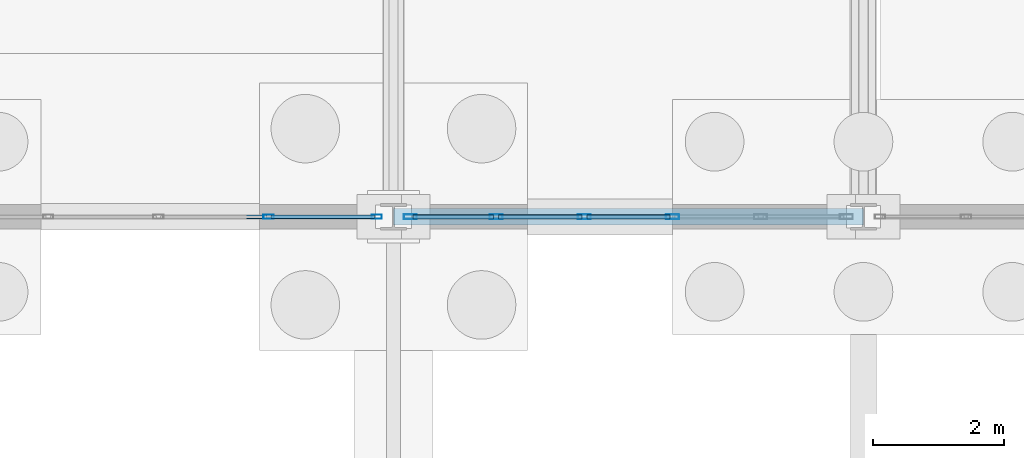
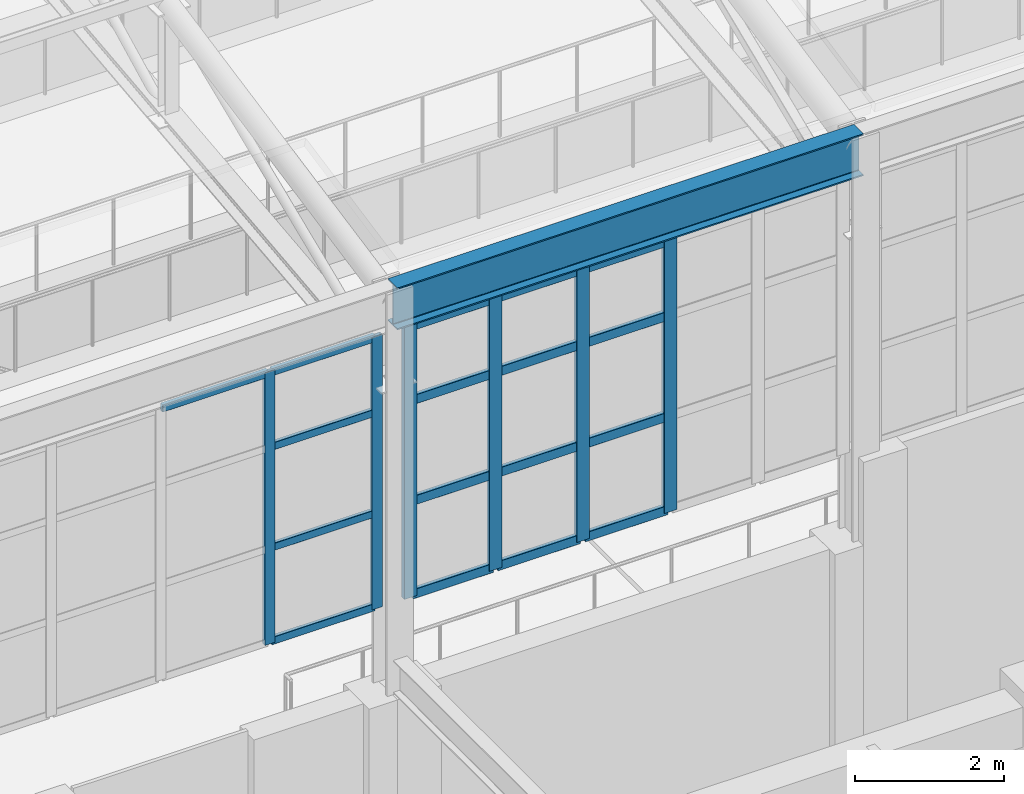
# One storey, part 111 of 293: 23 members, 1 beam, 2 elements without a shape of their own.
"""IFC4 building model written with IfcOpenShell, lengths in metres."""

from ifc_helpers import new_model, si_unit, direction, frame, origin, origin_2d, place, context, subcontext, project, spatial, hollow_rectangle, i_section, extrude, material, layer, layer_set, material_profile, profile_set, type_object, element, aggregate, save


model = new_model("IFC4")

# Units and contexts
model_context = context("Model", 3, precision=1e-05, world=origin(), true_north=direction((0.0, 1.0)))
body_context = subcontext(model_context, "Body", "Model", "MODEL_VIEW")
ifc_project = project(units=[si_unit("LENGTHUNIT", "METRE"), si_unit("AREAUNIT", "SQUARE_METRE"), si_unit("VOLUMEUNIT", "CUBIC_METRE"), si_unit("PLANEANGLEUNIT", "RADIAN"), si_unit("MASSUNIT", "GRAM", prefix="KILO")], contexts=[model_context])

# Site, building, storey
site_placement = place(None, origin())
site = spatial("IfcSite", under=ifc_project, at=site_placement, CompositionType="ELEMENT")
building_placement = place(site_placement, origin())
building = spatial("IfcBuilding", under=site, at=building_placement, Name="Kemerveld Promenade Tramway Depot", CompositionType="ELEMENT")
storey_placement = place(building_placement, origin())
storey = spatial("IfcBuildingStorey", under=building, at=storey_placement, Name="L00", CompositionType="ELEMENT", Elevation=0.0)

# Beam
ifc_material_1 = material(Name="Steel S355", Category="steel")
ifc_material_profile_1 = material_profile(ifc_material_1, i_section(OverallWidth=0.25439453125, OverallDepth=0.6875, WebThickness=0.01318359375, FlangeThickness=0.02099609375, FilletRadius=0.01513671875, at=origin_2d()), Name="686x254x152 UB")
ifc_profile_set_1 = profile_set([ifc_material_profile_1], Name="Steel S355")
beam_type = type_object("IfcBeamType", Name="BM-G03", PredefinedType="BEAM", material=ifc_profile_set_1)
beam_placement = place(storey_placement, frame((50.39990234375, 84.0, 11.056396484375), z_axis=(1.0, 0.0, 0.0), x_axis=(0.0, 1.0, 0.0)))
element("IfcBeam", 1, at=beam_placement, inside=storey, type_object=beam_type, Name="BM-SHED-EAVE-N-08", PredefinedType="BEAM", context=body_context, shape_type="SweptSolid", body=[
    extrude(i_section(OverallWidth=0.25439453125, OverallDepth=0.6875, WebThickness=0.01318359375, FlangeThickness=0.02099609375, FilletRadius=0.01513671875, at=origin_2d()), origin(), (0.0, 0.0, 1.0), 7.2001953125),
])

# Curtain wall, members
ifc_material_2 = material(Name="Bronze anodised aluminium and solar glass", Category="aluminium")
ifc_layer_1 = layer(ifc_material_2, 0.159912109375)
ifc_layer_set_1 = layer_set([ifc_layer_1], Name="CW-SYS-05")
curtain_wall_type_1 = type_object("IfcCurtainWallType", Name="CW-SYS-05", PredefinedType="USERDEFINED", material=ifc_layer_set_1)
curtain_wall_1_placement = place(storey_placement, origin())
curtain_wall_1 = element("IfcCurtainWall", 2, at=curtain_wall_1_placement, inside=storey, type_object=curtain_wall_type_1, Name="CW-V1-S-02", ObjectType="GLAZED_CURTAIN_WALL", PredefinedType="USERDEFINED")
ifc_material_3 = material(Name="Bronze anodised aluminium", Category="aluminium")
ifc_material_profile_2 = material_profile(ifc_material_3, hollow_rectangle(XDim=0.06494140625, YDim=0.159912109375, WallThickness=0.00390625, InnerFilletRadius=0.001953125, OuterFilletRadius=0.00390625, at=origin_2d()), Name="CW-MUL-160x65")
ifc_profile_set_2 = profile_set([ifc_material_profile_2], Name="Bronze anodised aluminium")
member_type_1 = type_object("IfcMemberType", Name="CW-MUL-A", PredefinedType="MULLION", material=ifc_profile_set_2)
member_1_placement = place(storey_placement, frame((50.144287109375, 84.0, 6.199951171875), z_axis=(0.0, 0.0, 1.0), x_axis=(0.0, -1.0, 0.0)))
member_1 = element("IfcMember", 3, at=member_1_placement, type_object=member_type_1, Name="CW05 mullion 1", PredefinedType="MULLION", context=body_context, shape_type="SweptSolid", body=[
    extrude(hollow_rectangle(XDim=0.06494140625, YDim=0.159912109375, WallThickness=0.00390625, InnerFilletRadius=0.001953125, OuterFilletRadius=0.00390625, at=origin_2d()), origin(), (0.0, 0.0, 1.0), 4.449951171875),
])
member_2_placement = place(storey_placement, frame((48.48828125, 84.0, 6.199951171875), z_axis=(0.0, 0.0, 1.0), x_axis=(0.0, -1.0, 0.0)))
member_2 = element("IfcMember", 4, at=member_2_placement, type_object=member_type_1, Name="CW05 mullion 2", PredefinedType="MULLION", context=body_context, shape_type="SweptSolid", body=[
    extrude(hollow_rectangle(XDim=0.06494140625, YDim=0.159912109375, WallThickness=0.00390625, InnerFilletRadius=0.001953125, OuterFilletRadius=0.00390625, at=origin_2d()), origin(), (0.0, 0.0, 1.0), 4.449951171875),
])

ifc_layer_2 = layer(ifc_material_2, 0.199951171875)
ifc_layer_set_2 = layer_set([ifc_layer_2], Name="CW-SYS-06")
curtain_wall_type_2 = type_object("IfcCurtainWallType", Name="CW-SYS-06", PredefinedType="USERDEFINED", material=ifc_layer_set_2)
curtain_wall_2_placement = place(storey_placement, origin())
curtain_wall_2 = element("IfcCurtainWall", 5, at=curtain_wall_2_placement, inside=storey, type_object=curtain_wall_type_2, Name="CW-V1-S-03", ObjectType="GLAZED_CURTAIN_WALL", PredefinedType="USERDEFINED")
ifc_material_profile_3 = material_profile(ifc_material_3, hollow_rectangle(XDim=0.074951171875, YDim=0.199951171875, WallThickness=0.0048828125, InnerFilletRadius=0.001953125, OuterFilletRadius=0.0048828125, at=origin_2d()), Name="CW-MUL-200x75")
ifc_profile_set_3 = profile_set([ifc_material_profile_3], Name="Bronze anodised aluminium")
member_type_2 = type_object("IfcMemberType", Name="CW-MUL-B", PredefinedType="MULLION", material=ifc_profile_set_3)
member_3_placement = place(storey_placement, frame((54.67529296875, 84.0, 6.199951171875), z_axis=(0.0, 0.0, 1.0), x_axis=(0.0, -1.0, 0.0)))
member_3 = element("IfcMember", 6, at=member_3_placement, type_object=member_type_2, Name="CW06 mullion 3", PredefinedType="MULLION", context=body_context, shape_type="SweptSolid", body=[
    extrude(hollow_rectangle(XDim=0.074951171875, YDim=0.199951171875, WallThickness=0.0048828125, InnerFilletRadius=0.001953125, OuterFilletRadius=0.0048828125, at=origin_2d()), origin(), (0.0, 0.0, 1.0), 4.449951171875),
])
member_4_placement = place(storey_placement, frame((53.32470703125, 84.0, 6.199951171875), z_axis=(0.0, 0.0, 1.0), x_axis=(0.0, -1.0, 0.0)))
member_4 = element("IfcMember", 7, at=member_4_placement, type_object=member_type_2, Name="CW06 mullion 4", PredefinedType="MULLION", context=body_context, shape_type="SweptSolid", body=[
    extrude(hollow_rectangle(XDim=0.074951171875, YDim=0.199951171875, WallThickness=0.0048828125, InnerFilletRadius=0.001953125, OuterFilletRadius=0.0048828125, at=origin_2d()), origin(), (0.0, 0.0, 1.0), 4.449951171875),
])
member_5_placement = place(storey_placement, frame((51.973876953125, 84.0, 6.199951171875), z_axis=(0.0, 0.0, 1.0), x_axis=(0.0, -1.0, 0.0)))
member_5 = element("IfcMember", 8, at=member_5_placement, type_object=member_type_2, Name="CW06 mullion 5", PredefinedType="MULLION", context=body_context, shape_type="SweptSolid", body=[
    extrude(hollow_rectangle(XDim=0.074951171875, YDim=0.199951171875, WallThickness=0.0048828125, InnerFilletRadius=0.001953125, OuterFilletRadius=0.0048828125, at=origin_2d()), origin(), (0.0, 0.0, 1.0), 4.449951171875),
])
member_6_placement = place(storey_placement, frame((50.66064453125, 84.0, 6.199951171875), z_axis=(0.0, 0.0, 1.0), x_axis=(0.0, -1.0, 0.0)))
member_6 = element("IfcMember", 9, at=member_6_placement, type_object=member_type_2, Name="CW06 mullion 6", PredefinedType="MULLION", context=body_context, shape_type="SweptSolid", body=[
    extrude(hollow_rectangle(XDim=0.074951171875, YDim=0.199951171875, WallThickness=0.0048828125, InnerFilletRadius=0.001953125, OuterFilletRadius=0.0048828125, at=origin_2d()), origin(), (0.0, 0.0, 1.0), 4.449951171875),
])

# Member
ifc_material_profile_4 = material_profile(ifc_material_3, hollow_rectangle(XDim=0.06005859375, YDim=0.1201171875, WallThickness=0.00390625, InnerFilletRadius=0.001953125, OuterFilletRadius=0.00390625, at=origin_2d()), Name="CW-TRN-120x60")
ifc_profile_set_4 = profile_set([ifc_material_profile_4], Name="Bronze anodised aluminium")
member_type_3 = type_object("IfcMemberType", Name="CW-TRN-A", PredefinedType="USERDEFINED", material=ifc_profile_set_4)
member_7_placement = place(storey_placement, frame((50.11181640625, 84.0, 6.22998046875), z_axis=(-1.0, 0.0, 0.0), x_axis=(0.0, -1.0, 0.0)))
member_7 = element("IfcMember", 10, at=member_7_placement, type_object=member_type_3, Name="CW05 transom 1.1", ObjectType="TRANSOM", PredefinedType="USERDEFINED", context=body_context, shape_type="SweptSolid", body=[
    extrude(hollow_rectangle(XDim=0.06005859375, YDim=0.1201171875, WallThickness=0.00390625, InnerFilletRadius=0.001953125, OuterFilletRadius=0.00390625, at=origin_2d()), origin(), (0.0, 0.0, 1.0), 1.5908203125),
])

member_8_placement = place(storey_placement, frame((50.11181640625, 84.0, 7.758056640625), z_axis=(-1.0, 0.0, 0.0), x_axis=(0.0, -1.0, 0.0)))
member_8 = element("IfcMember", 11, at=member_8_placement, type_object=member_type_3, Name="CW05 transom 1.2", ObjectType="TRANSOM", PredefinedType="USERDEFINED", context=body_context, shape_type="SweptSolid", body=[
    extrude(hollow_rectangle(XDim=0.06005859375, YDim=0.1201171875, WallThickness=0.00390625, InnerFilletRadius=0.001953125, OuterFilletRadius=0.00390625, at=origin_2d()), origin(), (0.0, 0.0, 1.0), 1.5908203125),
])

member_9_placement = place(storey_placement, frame((50.11181640625, 84.0, 9.404052734375), z_axis=(-1.0, 0.0, 0.0), x_axis=(0.0, -1.0, 0.0)))
member_9 = element("IfcMember", 12, at=member_9_placement, type_object=member_type_3, Name="CW05 transom 1.3", ObjectType="TRANSOM", PredefinedType="USERDEFINED", context=body_context, shape_type="SweptSolid", body=[
    extrude(hollow_rectangle(XDim=0.06005859375, YDim=0.1201171875, WallThickness=0.00390625, InnerFilletRadius=0.001953125, OuterFilletRadius=0.00390625, at=origin_2d()), origin(), (0.0, 0.0, 1.0), 1.5908203125),
])

member_10_placement = place(storey_placement, frame((50.11181640625, 84.0, 10.6201171875), z_axis=(-1.0, 0.0, 0.0), x_axis=(0.0, -1.0, 0.0)))
member_10 = element("IfcMember", 13, at=member_10_placement, type_object=member_type_3, Name="CW05 transom 1.4", ObjectType="TRANSOM", PredefinedType="USERDEFINED", context=body_context, shape_type="SweptSolid", body=[
    extrude(hollow_rectangle(XDim=0.06005859375, YDim=0.1201171875, WallThickness=0.00390625, InnerFilletRadius=0.001953125, OuterFilletRadius=0.00390625, at=origin_2d()), origin(), (0.0, 0.0, 1.0), 1.5908203125),
])

member_11_placement = place(storey_placement, frame((48.455810546875, 84.0, 10.6201171875), z_axis=(-1.0, 0.0, 0.0), x_axis=(0.0, -1.0, 0.0)))
member_11 = element("IfcMember", 14, at=member_11_placement, type_object=member_type_3, Name="CW05 transom 2.4", ObjectType="TRANSOM", PredefinedType="USERDEFINED", context=body_context, shape_type="SweptSolid", body=[
    extrude(hollow_rectangle(XDim=0.06005859375, YDim=0.1201171875, WallThickness=0.00390625, InnerFilletRadius=0.001953125, OuterFilletRadius=0.00390625, at=origin_2d()), origin(), (0.0, 0.0, 1.0), 1.623291015625),
])

aggregate(curtain_wall_1, [member_1, member_2, member_7, member_8, member_9, member_10, member_11])

ifc_material_profile_5 = material_profile(ifc_material_3, hollow_rectangle(XDim=0.06494140625, YDim=0.14990234375, WallThickness=0.00439453125, InnerFilletRadius=0.001953125, OuterFilletRadius=0.00439453125, at=origin_2d()), Name="CW-TRN-150x65")
ifc_profile_set_5 = profile_set([ifc_material_profile_5], Name="Bronze anodised aluminium")
member_type_4 = type_object("IfcMemberType", Name="CW-TRN-B", PredefinedType="USERDEFINED", material=ifc_profile_set_5)
member_12_placement = place(storey_placement, frame((54.637939453125, 84.0, 6.232421875), z_axis=(-1.0, 0.0, 0.0), x_axis=(0.0, -1.0, 0.0)))
member_12 = element("IfcMember", 15, at=member_12_placement, type_object=member_type_4, Name="CW06 transom 3.1", ObjectType="TRANSOM", PredefinedType="USERDEFINED", context=body_context, shape_type="SweptSolid", body=[
    extrude(hollow_rectangle(XDim=0.06494140625, YDim=0.14990234375, WallThickness=0.00439453125, InnerFilletRadius=0.001953125, OuterFilletRadius=0.00439453125, at=origin_2d()), origin(), (0.0, 0.0, 1.0), 1.27587890625),
])

member_13_placement = place(storey_placement, frame((54.637939453125, 84.0, 7.758056640625), z_axis=(-1.0, 0.0, 0.0), x_axis=(0.0, -1.0, 0.0)))
member_13 = element("IfcMember", 16, at=member_13_placement, type_object=member_type_4, Name="CW06 transom 3.2", ObjectType="TRANSOM", PredefinedType="USERDEFINED", context=body_context, shape_type="SweptSolid", body=[
    extrude(hollow_rectangle(XDim=0.06494140625, YDim=0.14990234375, WallThickness=0.00439453125, InnerFilletRadius=0.001953125, OuterFilletRadius=0.00439453125, at=origin_2d()), origin(), (0.0, 0.0, 1.0), 1.27587890625),
])

member_14_placement = place(storey_placement, frame((54.637939453125, 84.0, 9.404052734375), z_axis=(-1.0, 0.0, 0.0), x_axis=(0.0, -1.0, 0.0)))
member_14 = element("IfcMember", 17, at=member_14_placement, type_object=member_type_4, Name="CW06 transom 3.3", ObjectType="TRANSOM", PredefinedType="USERDEFINED", context=body_context, shape_type="SweptSolid", body=[
    extrude(hollow_rectangle(XDim=0.06494140625, YDim=0.14990234375, WallThickness=0.00439453125, InnerFilletRadius=0.001953125, OuterFilletRadius=0.00439453125, at=origin_2d()), origin(), (0.0, 0.0, 1.0), 1.27587890625),
])

member_15_placement = place(storey_placement, frame((54.637939453125, 84.0, 10.617431640625), z_axis=(-1.0, 0.0, 0.0), x_axis=(0.0, -1.0, 0.0)))
member_15 = element("IfcMember", 18, at=member_15_placement, type_object=member_type_4, Name="CW06 transom 3.4", ObjectType="TRANSOM", PredefinedType="USERDEFINED", context=body_context, shape_type="SweptSolid", body=[
    extrude(hollow_rectangle(XDim=0.06494140625, YDim=0.14990234375, WallThickness=0.00439453125, InnerFilletRadius=0.001953125, OuterFilletRadius=0.00439453125, at=origin_2d()), origin(), (0.0, 0.0, 1.0), 1.27587890625),
])

member_16_placement = place(storey_placement, frame((53.287109375, 84.0, 6.232421875), z_axis=(-1.0, 0.0, 0.0), x_axis=(0.0, -1.0, 0.0)))
member_16 = element("IfcMember", 19, at=member_16_placement, type_object=member_type_4, Name="CW06 transom 4.1", ObjectType="TRANSOM", PredefinedType="USERDEFINED", context=body_context, shape_type="SweptSolid", body=[
    extrude(hollow_rectangle(XDim=0.06494140625, YDim=0.14990234375, WallThickness=0.00439453125, InnerFilletRadius=0.001953125, OuterFilletRadius=0.00439453125, at=origin_2d()), origin(), (0.0, 0.0, 1.0), 1.275634765625),
])

member_17_placement = place(storey_placement, frame((53.287109375, 84.0, 7.758056640625), z_axis=(-1.0, 0.0, 0.0), x_axis=(0.0, -1.0, 0.0)))
member_17 = element("IfcMember", 20, at=member_17_placement, type_object=member_type_4, Name="CW06 transom 4.2", ObjectType="TRANSOM", PredefinedType="USERDEFINED", context=body_context, shape_type="SweptSolid", body=[
    extrude(hollow_rectangle(XDim=0.06494140625, YDim=0.14990234375, WallThickness=0.00439453125, InnerFilletRadius=0.001953125, OuterFilletRadius=0.00439453125, at=origin_2d()), origin(), (0.0, 0.0, 1.0), 1.275634765625),
])

member_18_placement = place(storey_placement, frame((53.287109375, 84.0, 9.404052734375), z_axis=(-1.0, 0.0, 0.0), x_axis=(0.0, -1.0, 0.0)))
member_18 = element("IfcMember", 21, at=member_18_placement, type_object=member_type_4, Name="CW06 transom 4.3", ObjectType="TRANSOM", PredefinedType="USERDEFINED", context=body_context, shape_type="SweptSolid", body=[
    extrude(hollow_rectangle(XDim=0.06494140625, YDim=0.14990234375, WallThickness=0.00439453125, InnerFilletRadius=0.001953125, OuterFilletRadius=0.00439453125, at=origin_2d()), origin(), (0.0, 0.0, 1.0), 1.275634765625),
])

member_19_placement = place(storey_placement, frame((53.287109375, 84.0, 10.617431640625), z_axis=(-1.0, 0.0, 0.0), x_axis=(0.0, -1.0, 0.0)))
member_19 = element("IfcMember", 22, at=member_19_placement, type_object=member_type_4, Name="CW06 transom 4.4", ObjectType="TRANSOM", PredefinedType="USERDEFINED", context=body_context, shape_type="SweptSolid", body=[
    extrude(hollow_rectangle(XDim=0.06494140625, YDim=0.14990234375, WallThickness=0.00439453125, InnerFilletRadius=0.001953125, OuterFilletRadius=0.00439453125, at=origin_2d()), origin(), (0.0, 0.0, 1.0), 1.275634765625),
])

member_20_placement = place(storey_placement, frame((51.9365234375, 84.0, 6.232421875), z_axis=(-1.0, 0.0, 0.0), x_axis=(0.0, -1.0, 0.0)))
member_20 = element("IfcMember", 23, at=member_20_placement, type_object=member_type_4, Name="CW06 transom 5.1", ObjectType="TRANSOM", PredefinedType="USERDEFINED", context=body_context, shape_type="SweptSolid", body=[
    extrude(hollow_rectangle(XDim=0.06494140625, YDim=0.14990234375, WallThickness=0.00439453125, InnerFilletRadius=0.001953125, OuterFilletRadius=0.00439453125, at=origin_2d()), origin(), (0.0, 0.0, 1.0), 1.23828125),
])

member_21_placement = place(storey_placement, frame((51.9365234375, 84.0, 7.758056640625), z_axis=(-1.0, 0.0, 0.0), x_axis=(0.0, -1.0, 0.0)))
member_21 = element("IfcMember", 24, at=member_21_placement, type_object=member_type_4, Name="CW06 transom 5.2", ObjectType="TRANSOM", PredefinedType="USERDEFINED", context=body_context, shape_type="SweptSolid", body=[
    extrude(hollow_rectangle(XDim=0.06494140625, YDim=0.14990234375, WallThickness=0.00439453125, InnerFilletRadius=0.001953125, OuterFilletRadius=0.00439453125, at=origin_2d()), origin(), (0.0, 0.0, 1.0), 1.23828125),
])

member_22_placement = place(storey_placement, frame((51.9365234375, 84.0, 9.404052734375), z_axis=(-1.0, 0.0, 0.0), x_axis=(0.0, -1.0, 0.0)))
member_22 = element("IfcMember", 25, at=member_22_placement, type_object=member_type_4, Name="CW06 transom 5.3", ObjectType="TRANSOM", PredefinedType="USERDEFINED", context=body_context, shape_type="SweptSolid", body=[
    extrude(hollow_rectangle(XDim=0.06494140625, YDim=0.14990234375, WallThickness=0.00439453125, InnerFilletRadius=0.001953125, OuterFilletRadius=0.00439453125, at=origin_2d()), origin(), (0.0, 0.0, 1.0), 1.23828125),
])

member_23_placement = place(storey_placement, frame((51.9365234375, 84.0, 10.617431640625), z_axis=(-1.0, 0.0, 0.0), x_axis=(0.0, -1.0, 0.0)))
member_23 = element("IfcMember", 26, at=member_23_placement, type_object=member_type_4, Name="CW06 transom 5.4", ObjectType="TRANSOM", PredefinedType="USERDEFINED", context=body_context, shape_type="SweptSolid", body=[
    extrude(hollow_rectangle(XDim=0.06494140625, YDim=0.14990234375, WallThickness=0.00439453125, InnerFilletRadius=0.001953125, OuterFilletRadius=0.00439453125, at=origin_2d()), origin(), (0.0, 0.0, 1.0), 1.23828125),
])

aggregate(curtain_wall_2, [member_3, member_4, member_5, member_6, member_12, member_13, member_14, member_15, member_16, member_17, member_18, member_19, member_20, member_21, member_22, member_23])

save(model, "model.ifc")
